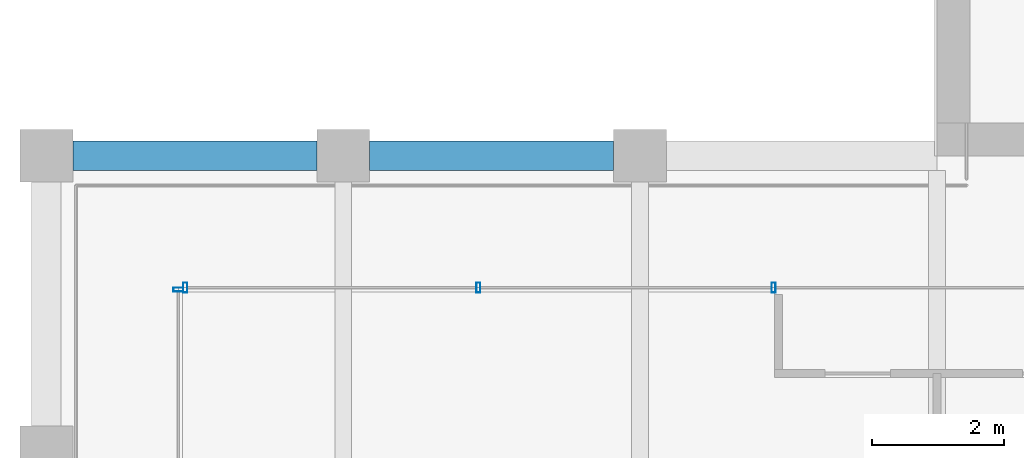
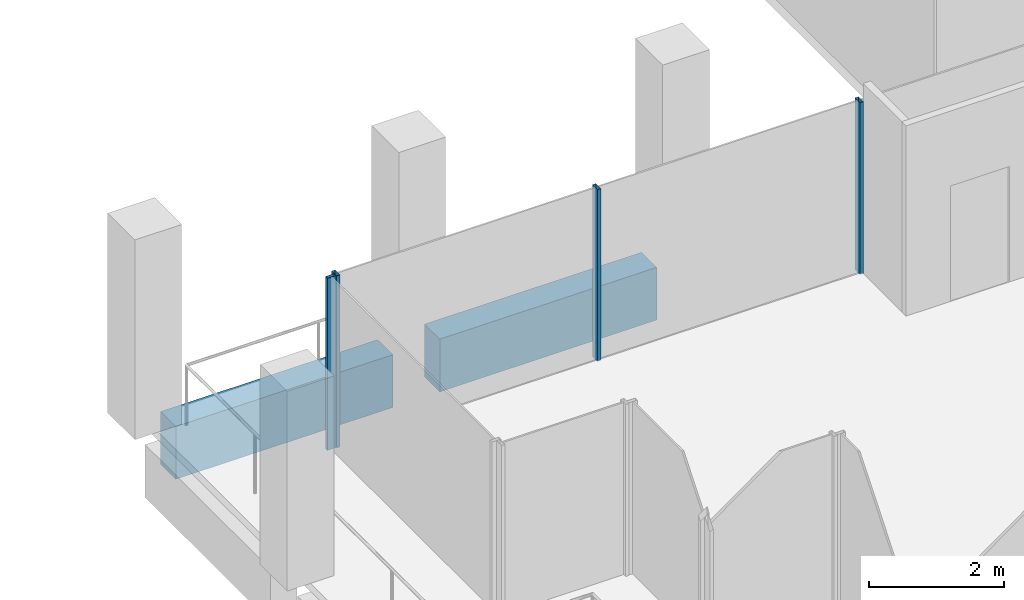
# One storey, part 5 of 30: 4 members, 2 beams, 2 elements without a shape of their own.
"""IFC4 building model written with IfcOpenShell, lengths in metres."""

from ifc_helpers import new_model, si_unit, direction, frame, origin, origin_2d, place, context, subcontext, project, spatial, rectangle, hollow_rectangle, extrude, material, material_profile, profile_set, type_object, element, aggregate, save


model = new_model("IFC4")

# Units and contexts
model_context = context("Model", 3, precision=1e-05, world=origin(), true_north=direction((0.0, 1.0)))
body_context = subcontext(model_context, "Body", "Model", "MODEL_VIEW")
ifc_project = project(units=[si_unit("LENGTHUNIT", "METRE"), si_unit("AREAUNIT", "SQUARE_METRE"), si_unit("VOLUMEUNIT", "CUBIC_METRE"), si_unit("PLANEANGLEUNIT", "RADIAN"), si_unit("MASSUNIT", "GRAM", prefix="KILO")], contexts=[model_context])

# Site, building, storey
site_placement = place(None, origin())
site = spatial("IfcSite", under=ifc_project, at=site_placement, CompositionType="ELEMENT")
building_placement = place(site_placement, origin())
building = spatial("IfcBuilding", under=site, at=building_placement, Name="Altepetl Exchange Towers", CompositionType="ELEMENT")
storey_placement = place(building_placement, frame((0.0, 0.0, 231.60009765625)))
storey = spatial("IfcBuildingStorey", under=building, at=storey_placement, Name="L59", CompositionType="ELEMENT", Elevation=231.60009765625)

# Curtain wall, members
ifc_material_1 = material(Name="Aluminium 6063-T6 glazing", Category="aluminium")
curtain_wall_type = type_object("IfcCurtainWallType", Name="Loggia glazing system", PredefinedType="NOTDEFINED", material=ifc_material_1)
curtain_wall_1_placement = place(storey_placement, origin())
curtain_wall_1 = element("IfcCurtainWall", 1, at=curtain_wall_1_placement, inside=storey, type_object=curtain_wall_type, Name="CW1 run", PredefinedType="NOTDEFINED")
ifc_material_2 = material(Name="Aluminium 6063-T6", Category="aluminium")
ifc_material_profile_1 = material_profile(ifc_material_2, hollow_rectangle(XDim=0.06005859375, YDim=0.14990234375, WallThickness=0.0029296875, at=origin_2d()), Name="Mullion 60x150 aluminium")
ifc_profile_set_1 = profile_set([ifc_material_profile_1], Name="Aluminium 6063-T6")
member_type = type_object("IfcMemberType", Name="Mullion 60x150 aluminium", PredefinedType="MULLION", material=ifc_profile_set_1)
member_1_placement = place(storey_placement, frame((38.02490234375, 38.5, 0.0), z_axis=(0.0, 0.0, 1.0), x_axis=(-1.0, 0.0, 0.0)))
member_1 = element("IfcMember", 2, at=member_1_placement, type_object=member_type, Name="MU1 mullion", PredefinedType="MULLION", context=body_context, shape_type="SweptSolid", body=[
    extrude(hollow_rectangle(XDim=0.06005859375, YDim=0.14990234375, WallThickness=0.0029296875, at=origin_2d()), origin(), (0.0, 0.0, 1.0), 3.099853515625),
])
member_2_placement = place(storey_placement, frame((33.550048828125, 38.5, 0.0), z_axis=(0.0, 0.0, 1.0), x_axis=(-1.0, 0.0, 0.0)))
member_2 = element("IfcMember", 3, at=member_2_placement, type_object=member_type, Name="MU1 mullion", PredefinedType="MULLION", context=body_context, shape_type="SweptSolid", body=[
    extrude(hollow_rectangle(XDim=0.06005859375, YDim=0.14990234375, WallThickness=0.0029296875, at=origin_2d()), origin(), (0.0, 0.0, 1.0), 3.099853515625),
])
member_3_placement = place(storey_placement, frame((29.10498046875, 38.5, 0.0), z_axis=(0.0, 0.0, 1.0), x_axis=(-1.0, 0.0, 0.0)))
member_3 = element("IfcMember", 4, at=member_3_placement, type_object=member_type, Name="MU1 mullion", PredefinedType="MULLION", context=body_context, shape_type="SweptSolid", body=[
    extrude(hollow_rectangle(XDim=0.06005859375, YDim=0.14990234375, WallThickness=0.0029296875, at=origin_2d()), origin(), (0.0, 0.0, 1.0), 3.099853515625),
])
aggregate(curtain_wall_1, [member_1, member_2, member_3])

# Curtain wall, member
curtain_wall_2_placement = place(storey_placement, origin())
curtain_wall_2 = element("IfcCurtainWall", 5, at=curtain_wall_2_placement, inside=storey, type_object=curtain_wall_type, Name="CW1 run", PredefinedType="NOTDEFINED")
member_4_placement = place(storey_placement, frame((29.0, 38.469970703125, 0.0), z_axis=(0.0, 0.0, 1.0), x_axis=(0.0, -1.0, 0.0)))
member_4 = element("IfcMember", 6, at=member_4_placement, type_object=member_type, Name="MU1 mullion", PredefinedType="MULLION", context=body_context, shape_type="SweptSolid", body=[
    extrude(hollow_rectangle(XDim=0.06005859375, YDim=0.14990234375, WallThickness=0.0029296875, at=origin_2d()), origin(), (0.0, 0.0, 1.0), 3.099853515625),
])
aggregate(curtain_wall_2, [member_4])

# Beams
ifc_material_3 = material(Name="Concrete C50/60 precast with tezontle facing", Category="concrete")
ifc_material_profile_2 = material_profile(ifc_material_3, rectangle(XDim=0.449951171875, YDim=0.949951171875, at=origin_2d()), Name="450 x 950")
ifc_profile_set_2 = profile_set([ifc_material_profile_2], Name="Concrete C50/60 precast with tezontle facing")
beam_type = type_object("IfcBeamType", Name="Spandrel beam 450x950 tezontle", PredefinedType="SPANDREL", material=ifc_profile_set_2)
for number, where, z_axis, x_axis, name in (
    (7, (35.60009765625, 40.5, -0.625), (-1.0, 0.0, 0.0), (0.0, -1.0, 0.0), "sp:A:L59:034"),
    (8, (31.10009765625, 40.5, -0.625), (-1.0, 0.0, 0.0), (0.0, -1.0, 0.0), "sp:A:L59:035"),
):
    element("IfcBeam", number, at=place(storey_placement, frame(where, z_axis=z_axis, x_axis=x_axis)), inside=storey, type_object=beam_type, Name=name, PredefinedType="SPANDREL", context=body_context, shape_type="SweptSolid", body=[
        extrude(rectangle(XDim=0.449951171875, YDim=0.949951171875, at=origin_2d()), origin(), (0.0, 0.0, 1.0), 3.7001953125),
    ])

save(model, "model.ifc")
